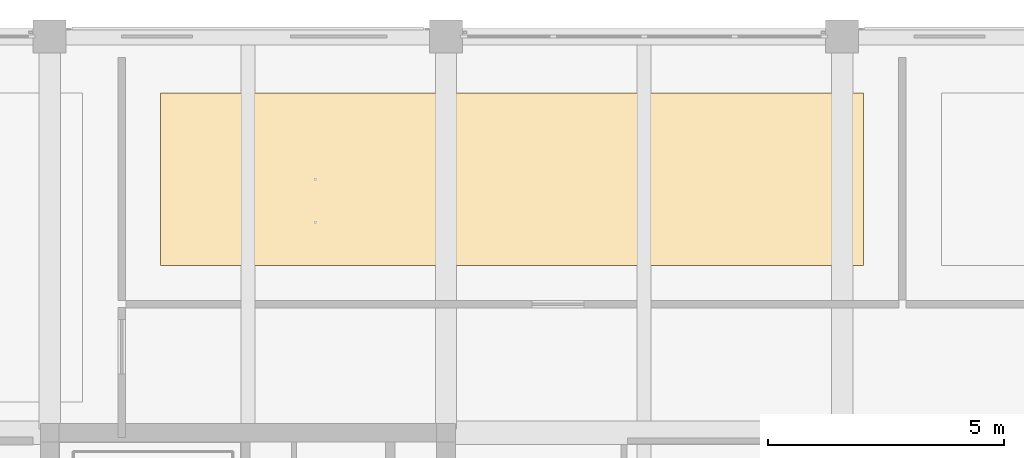
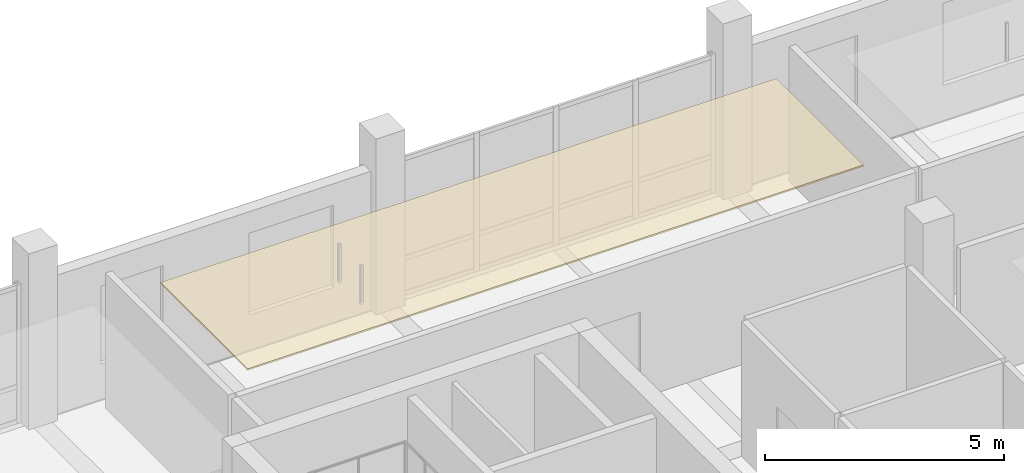
# One storey, part 28 of 35: 1 covering.
"""IFC4 building model written with IfcOpenShell, lengths in metres."""

from ifc_helpers import new_model, si_unit, direction, frame, origin, place, context, subcontext, project, spatial, polyline, outline, extrude, material, layer, layer_set, type_object, element, save


model = new_model("IFC4")

# Units and contexts
model_context = context("Model", 3, precision=1e-05, world=origin(), true_north=direction((0.0, 1.0)))
body_context = subcontext(model_context, "Body", "Model", "MODEL_VIEW")
ifc_project = project(units=[si_unit("LENGTHUNIT", "METRE"), si_unit("AREAUNIT", "SQUARE_METRE"), si_unit("VOLUMEUNIT", "CUBIC_METRE"), si_unit("PLANEANGLEUNIT", "RADIAN"), si_unit("MASSUNIT", "GRAM", prefix="KILO")], contexts=[model_context])

# Site, building, storey
site_placement = place(None, origin())
site = spatial("IfcSite", under=ifc_project, at=site_placement, CompositionType="ELEMENT")
building_placement = place(site_placement, origin())
building = spatial("IfcBuilding", under=site, at=building_placement, Name="Telukmera Botanical Conservatory", CompositionType="ELEMENT")
storey_placement = place(building_placement, frame((0.0, 0.0, 46.5)))
storey = spatial("IfcBuildingStorey", under=building, at=storey_placement, Name="L10", CompositionType="ELEMENT", Elevation=46.5)

# Covering
ifc_material = material(Name="Perforated gypsum acoustic ceiling")
ifc_layer = layer(ifc_material, 0.0400390625)
ifc_layer_set = layer_set([ifc_layer], Name="Perforated gypsum acoustic ceiling")
covering_type = type_object("IfcCoveringType", Name="COV-CEIL-40", PredefinedType="CEILING", material=ifc_layer_set)
covering_placement = place(storey_placement, frame((0.0, 0.0, 3.31005859375)))
element("IfcCovering", 1, at=covering_placement, inside=storey, type_object=covering_type, Name="L10 Tissue Culture Laboratory Suspended Acoustic Ceiling", PredefinedType="CEILING", context=body_context, shape_type="SweptSolid", body=[
    extrude(outline(polyline([(61.14990234375, 37.949951171875), (76.050048828125, 37.949951171875), (76.050048828125, 41.60009765625), (61.14990234375, 41.60009765625), (61.14990234375, 37.949951171875)])), origin(), (0.0, 0.0, 1.0), 0.0400390625),
])

save(model, "model.ifc")
